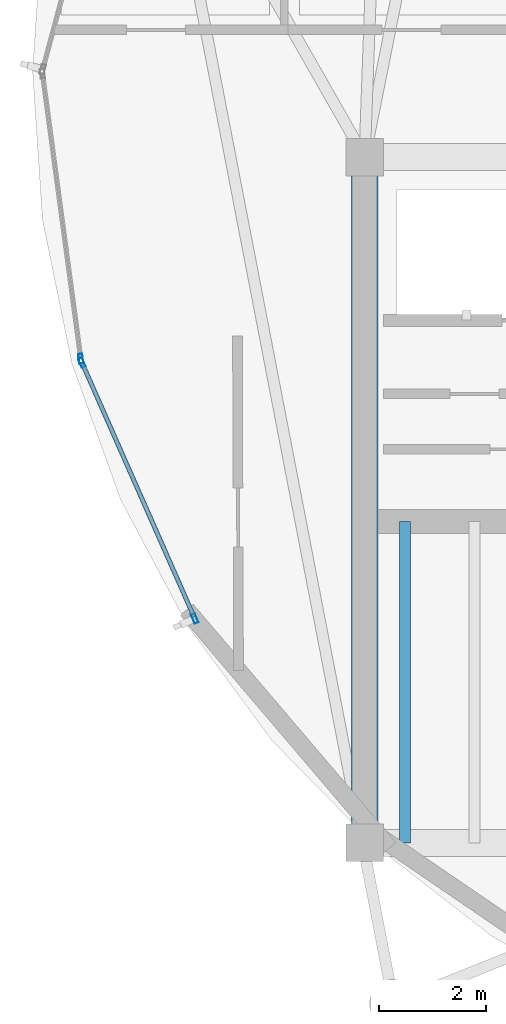
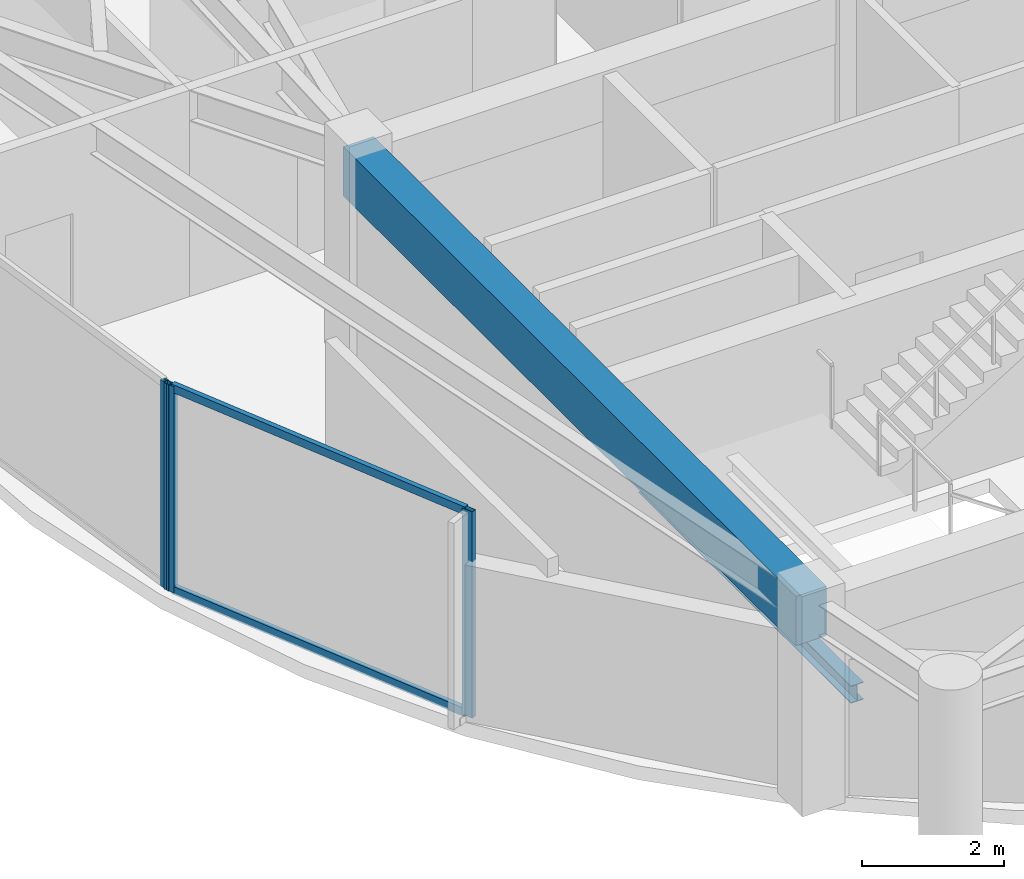
# One storey, part 3 of 23: 5 members, 2 beams, 2 elements without a shape of their own.
"""IFC4 building model written with IfcOpenShell, lengths in metres."""

import ifcopenshell
import ifcopenshell.guid

model = None  # the IFC model being written
_history = None  # IfcOwnerHistory: only IFC2X3 demands one
_inside = {}  # id of a spatial element -> (the spatial element, [elements in it])
_under = {}  # id of a project, library or spatial element -> (it, [spatial elements below it])
_declared = {}  # id of a project -> (the project, [libraries it declares])
_typed = {}  # id of a type object -> (the type object, [elements of that type])
_made_of = {}  # id of a material, layer set ... -> (it, [elements and type objects made of it])


def new_model(schema):
    """Start an empty IFC model of exactly this schema.

    Asked for "IFC4X3", IfcOpenShell would pick the latest addendum, in which some entities
    have other attributes; the version numbers below select the first issue.
    IFC2X3 requires an IfcOwnerHistory on every rooted entity: one is made here for all.
    """
    global model, _history
    if schema == "IFC4X3":
        model = ifcopenshell.file(schema_version=(4, 3, 0, 0))
    else:
        model = ifcopenshell.file(schema=schema)
    _inside.clear()
    _under.clear()
    _declared.clear()
    _typed.clear()
    _made_of.clear()
    _history = None
    if model.schema == "IFC2X3":
        org = make("IfcOrganization", Name="unknown")
        user = make(
            "IfcPersonAndOrganization",
            ThePerson=make("IfcPerson", FamilyName="unknown"),
            TheOrganization=org,
        )
        app = make(
            "IfcApplication",
            ApplicationDeveloper=org,
            Version="unknown",
            ApplicationFullName="unknown",
            ApplicationIdentifier="unknown",
        )
        _history = make(
            "IfcOwnerHistory",
            OwningUser=user,
            OwningApplication=app,
            ChangeAction="ADDED",
            CreationDate=0,
        )
    return model


def make(cls, **values):
    """One entity of the class cls with the attributes given. An attribute that is None is left unset."""
    return model.create_entity(
        cls, **{name: value for name, value in values.items() if value is not None}
    )


def rooted(cls, **values):
    """An entity with a GlobalId (a new one), such as an element, a storey or a relation."""
    return make(cls, GlobalId=ifcopenshell.guid.new(), OwnerHistory=_history, **values)


def si_unit(unit_type, name, prefix=None):
    """IfcSIUnit, for example si_unit("LENGTHUNIT", "METRE", prefix="MILLI")."""
    return make("IfcSIUnit", UnitType=unit_type, Prefix=prefix, Name=name)


def assignment(units):
    """IfcUnitAssignment: the units of a project."""
    return None if units is None else make("IfcUnitAssignment", Units=units)


def point(xyz):
    """IfcCartesianPoint."""
    return None if xyz is None else make("IfcCartesianPoint", Coordinates=xyz)


def direction(xyz):
    """IfcDirection."""
    return None if xyz is None else make("IfcDirection", DirectionRatios=xyz)


def frame(location, z_axis=None, x_axis=None):
    """IfcAxis2Placement3D, a coordinate frame: its origin and axes. An axis left out is left unset."""
    return make(
        "IfcAxis2Placement3D",
        Location=point(location),
        Axis=direction(z_axis),
        RefDirection=direction(x_axis),
    )


def frame_2d(location, x_axis=None):
    """IfcAxis2Placement2D, a coordinate frame in the plane: its origin and x axis."""
    return make(
        "IfcAxis2Placement2D", Location=point(location), RefDirection=direction(x_axis)
    )


def origin():
    """The frame at (0, 0, 0) with its axes left unset."""
    return frame((0.0, 0.0, 0.0))


def origin_2d():
    """The frame at (0, 0) in the plane with its x axis left unset."""
    return frame_2d((0.0, 0.0))


def place(relative_to, where):
    """IfcLocalPlacement: puts the frame where relative to a parent placement (None: the world)."""
    return make(
        "IfcLocalPlacement", PlacementRelTo=relative_to, RelativePlacement=where
    )


def context(
    kind, dimensions, precision=None, world=None, true_north=None, identifier=None
):
    """IfcGeometricRepresentationContext, for example the 3D "Model" context."""
    return make(
        "IfcGeometricRepresentationContext",
        ContextIdentifier=identifier,
        ContextType=kind,
        CoordinateSpaceDimension=dimensions,
        Precision=precision,
        WorldCoordinateSystem=world,
        TrueNorth=true_north,
    )


def subcontext(parent, identifier, kind, view, scale=None):
    """IfcGeometricRepresentationSubContext, for example "Body" below "Model"."""
    return make(
        "IfcGeometricRepresentationSubContext",
        ContextIdentifier=identifier,
        ContextType=kind,
        ParentContext=parent,
        TargetScale=scale,
        TargetView=view,
    )


def project(units=None, contexts=None):
    """IfcProject with its units and contexts."""
    return rooted(
        "IfcProject",
        Name="project",
        RepresentationContexts=contexts,
        UnitsInContext=assignment(units),
    )


def spatial(cls, under=None, at=None, **own):
    """A site, building, storey or space (cls), placed at a placement, below another one or the project."""
    s = rooted(cls, ObjectPlacement=at, **own)
    if under is not None:
        _under.setdefault(under.id(), (under, []))[1].append(s)
    return s


def profile(cls, at=None, kind="AREA", **sizes):
    """A parametric profile (cls). Its sizes go by their IFC names, for example OverallWidth=200.0."""
    return make(cls, ProfileType=kind, Position=at, **sizes)


def rectangle(**sizes):
    """IfcRectangleProfileDef."""
    return profile("IfcRectangleProfileDef", **sizes)


def hollow_rectangle(**sizes):
    """IfcRectangleHollowProfileDef."""
    return profile("IfcRectangleHollowProfileDef", **sizes)


def i_section(**sizes):
    """IfcIShapeProfileDef."""
    return profile("IfcIShapeProfileDef", **sizes)


def extrude(swept, where, along, depth):
    """IfcExtrudedAreaSolid: the profile swept, set in the frame where, extruded along a direction by depth."""
    return make(
        "IfcExtrudedAreaSolid",
        SweptArea=swept,
        Position=where,
        ExtrudedDirection=direction(along),
        Depth=depth,
    )


def shape(context_of_items, identifier, shape_type, items):
    """IfcShapeRepresentation: the items that make up one representation, for example the "Body"."""
    return make(
        "IfcShapeRepresentation",
        ContextOfItems=context_of_items,
        RepresentationIdentifier=identifier,
        RepresentationType=shape_type,
        Items=items,
    )


def material(Name=None, Category=None):
    """IfcMaterial."""
    return make("IfcMaterial", Name=Name, Category=Category)


def layer(
    of_material, thickness, ventilated=None, Name=None, Category=None, Priority=None
):
    """IfcMaterialLayer: one layer of a wall or slab, of a material (None: an air gap)."""
    return make(
        "IfcMaterialLayer",
        Material=of_material,
        LayerThickness=thickness,
        IsVentilated=ventilated,
        Name=Name,
        Category=Category,
        Priority=Priority,
    )


def layer_set(layers, Name=None):
    """IfcMaterialLayerSet."""
    return make("IfcMaterialLayerSet", MaterialLayers=layers, LayerSetName=Name)


def material_profile(
    of_material, cross_section, Name=None, Category=None, Priority=None
):
    """IfcMaterialProfile: a cross section and its material."""
    return make(
        "IfcMaterialProfile",
        Name=Name,
        Material=of_material,
        Profile=cross_section,
        Priority=Priority,
        Category=Category,
    )


def profile_set(profiles, Name=None, composite=None):
    """IfcMaterialProfileSet."""
    return make(
        "IfcMaterialProfileSet",
        Name=Name,
        MaterialProfiles=profiles,
        CompositeProfile=composite,
    )


def made_of(thing, what):
    """Note that an element or type object is made of a material, layer set ...; save() writes the relation."""
    if what is not None:
        _made_of.setdefault(what.id(), (what, []))[1].append(thing)
    return thing


def type_object(cls, material=None, **own):
    """A type object (cls), such as IfcWallType, which elements share."""
    return made_of(rooted(cls, **own), material)


def element(
    cls,
    number,
    at=None,
    inside=None,
    cuts=None,
    type_object=None,
    material=None,
    context=None,
    identifier="Body",
    shape_type=None,
    held_by="IfcProductDefinitionShape",
    body=None,
    shapes=None,
    **own,
):
    """One element of the class cls, such as IfcWall. Its Tag is "e" and its number.

    at: its placement. inside: the storey or other place that contains it. cuts: it is an
    opening in that element (IfcRelVoidsElement). A single representation is given by context,
    identifier, shape_type and body (its items); several are given by shapes. held_by: the class
    of the entity that holds the representations. save() writes the other relations.
    """
    e = rooted(cls, Tag="e%d" % number, ObjectPlacement=at, **own)
    if body is not None:
        shapes = [shape(context, identifier, shape_type, body)]
    if shapes is not None:
        e.Representation = make(held_by, Representations=shapes)
    if inside is not None:
        _inside.setdefault(inside.id(), (inside, []))[1].append(e)
    if cuts is not None:
        rooted(
            "IfcRelVoidsElement", RelatingBuildingElement=cuts, RelatedOpeningElement=e
        )
    if type_object is not None:
        _typed.setdefault(type_object.id(), (type_object, []))[1].append(e)
    return made_of(e, material)


def aggregate(whole, parts):
    """IfcRelAggregates: a whole, such as a stair, and the parts it consists of."""
    return rooted("IfcRelAggregates", RelatingObject=whole, RelatedObjects=parts)


def save(model, path):
    """Write the relations noted so far, then the file.

    IfcRelAggregates (storeys below a building ...), IfcRelContainedInSpatialStructure (elements
    in a storey), IfcRelDefinesByType, IfcRelAssociatesMaterial and IfcRelDeclares: one each for
    every whole, place, type object, material and project.
    """
    for whole, parts in _under.values():
        aggregate(whole, parts)
    for where, things in _inside.values():
        rooted(
            "IfcRelContainedInSpatialStructure",
            RelatedElements=things,
            RelatingStructure=where,
        )
    for kind, things in _typed.values():
        rooted("IfcRelDefinesByType", RelatedObjects=things, RelatingType=kind)
    for what, things in _made_of.values():
        rooted("IfcRelAssociatesMaterial", RelatedObjects=things, RelatingMaterial=what)
    for by, libraries in _declared.values():
        rooted("IfcRelDeclares", RelatingContext=by, RelatedDefinitions=libraries)
    model.write(path)


model = new_model("IFC4")

# Units and contexts
model_context = context("Model", 3, precision=1e-05, world=origin(), true_north=direction((0.0, 1.0)))
body_context = subcontext(model_context, "Body", "Model", "MODEL_VIEW")
ifc_project = project(units=[si_unit("LENGTHUNIT", "METRE"), si_unit("AREAUNIT", "SQUARE_METRE"), si_unit("VOLUMEUNIT", "CUBIC_METRE"), si_unit("PLANEANGLEUNIT", "RADIAN"), si_unit("MASSUNIT", "GRAM", prefix="KILO")], contexts=[model_context])

# Site, building, storey
site_placement = place(None, origin())
site = spatial("IfcSite", under=ifc_project, at=site_placement, CompositionType="ELEMENT")
building_placement = place(site_placement, origin())
building = spatial("IfcBuilding", under=site, at=building_placement, Name="Kazevale Care Tower and Concert Hall", CompositionType="ELEMENT")
storey_placement = place(building_placement, frame((0.0, 0.0, 266.199951171875)))
storey = spatial("IfcBuildingStorey", under=building, at=storey_placement, Name="L70", CompositionType="ELEMENT", Elevation=266.199951171875)

# Curtain wall, members
ifc_material_1 = material(Name="Aluminium 6063-T6 and Low-E Glass", Category="aluminium")
ifc_layer = layer(ifc_material_1, 0.179931640625)
ifc_layer_set = layer_set([ifc_layer], Name="Aluminium 6063-T6 and Low-E Glass")
curtain_wall_type = type_object("IfcCurtainWallType", Name="Waist & Upper Residential Curtain Wall CW-4", PredefinedType="NOTDEFINED", material=ifc_layer_set)
curtain_wall_1_placement = place(storey_placement, origin())
curtain_wall_1 = element("IfcCurtainWall", 1, at=curtain_wall_1_placement, inside=storey, type_object=curtain_wall_type, Name="cw:L70:f07", PredefinedType="NOTDEFINED")
ifc_material_2 = material(Name="Aluminium 6063-T6", Category="aluminium")
ifc_material_profile_1 = material_profile(ifc_material_2, hollow_rectangle(XDim=0.080078125, YDim=0.179931640625, WallThickness=0.0048828125, at=origin_2d()), Name="ALU80x180x5")
ifc_profile_set_1 = profile_set([ifc_material_profile_1], Name="Aluminium 6063-T6")
member_type_1 = type_object("IfcMemberType", Name="CW-4 Mullion ALU80x180x5", PredefinedType="MULLION", material=ifc_profile_set_1)
member_1_placement = place(storey_placement, frame((18.828857421875, 27.78759765625, 0.0), z_axis=(0.0, 0.0, 1.0), x_axis=(-0.914936245618, -0.403598397488, 0.0)))
member_1 = element("IfcMember", 2, at=member_1_placement, type_object=member_type_1, Name="CW-4 mullion 1", PredefinedType="MULLION", context=body_context, shape_type="SweptSolid", body=[
    extrude(hollow_rectangle(XDim=0.080078125, YDim=0.179931640625, WallThickness=0.0048828125, at=origin_2d()), origin(), (0.0, 0.0, 1.0), 3.56005859375),
])
member_2_placement = place(storey_placement, frame((16.72216796875, 32.5634765625, 0.0), z_axis=(0.0, 0.0, 1.0), x_axis=(-0.914936245618, -0.403598397488, 0.0)))
member_2 = element("IfcMember", 3, at=member_2_placement, type_object=member_type_1, Name="CW-4 mullion 2", PredefinedType="MULLION", context=body_context, shape_type="SweptSolid", body=[
    extrude(hollow_rectangle(XDim=0.080078125, YDim=0.179931640625, WallThickness=0.0048828125, at=origin_2d()), origin(), (0.0, 0.0, 1.0), 3.56005859375),
])

# Curtain wall, member
curtain_wall_2_placement = place(storey_placement, origin())
curtain_wall_2 = element("IfcCurtainWall", 4, at=curtain_wall_2_placement, inside=storey, type_object=curtain_wall_type, Name="cw:L70:f08", PredefinedType="NOTDEFINED")
member_3_placement = place(storey_placement, frame((16.70068359375, 32.6396484375, 0.0), z_axis=(0.0, 0.0, 1.0), x_axis=(-0.991083047722, -0.133245609751, 0.0)))
member_3 = element("IfcMember", 5, at=member_3_placement, type_object=member_type_1, Name="CW-4 mullion 1", PredefinedType="MULLION", context=body_context, shape_type="SweptSolid", body=[
    extrude(hollow_rectangle(XDim=0.080078125, YDim=0.179931640625, WallThickness=0.0048828125, at=origin_2d()), origin(), (0.0, 0.0, 1.0), 3.56005859375),
])
aggregate(curtain_wall_2, [member_3])

# Member
ifc_material_profile_2 = material_profile(ifc_material_2, hollow_rectangle(XDim=0.080078125, YDim=0.139892578125, WallThickness=0.00390625, at=origin_2d()), Name="ALU80x140x4")
ifc_profile_set_2 = profile_set([ifc_material_profile_2], Name="Aluminium 6063-T6")
member_type_2 = type_object("IfcMemberType", Name="CW-4 Transom ALU80x140x4", PredefinedType="USERDEFINED", material=ifc_profile_set_2)
member_4_placement = place(storey_placement, frame((18.812744140625, 27.82421875, 0.0400390625), z_axis=(-0.403602784518, 0.91493431039, 0.0), x_axis=(-0.91493431039, -0.403602784518, 0.0)))
member_4 = element("IfcMember", 6, at=member_4_placement, type_object=member_type_2, Name="CW-4 transom 1.1", ObjectType="TRANSOM", PredefinedType="USERDEFINED", context=body_context, shape_type="SweptSolid", body=[
    extrude(hollow_rectangle(XDim=0.080078125, YDim=0.139892578125, WallThickness=0.00390625, at=origin_2d()), origin(), (0.0, 0.0, 1.0), 5.139892578125),
])

member_5_placement = place(storey_placement, frame((18.812744140625, 27.82421875, 3.52001953125), z_axis=(-0.403602784518, 0.91493431039, 0.0), x_axis=(-0.91493431039, -0.403602784518, 0.0)))
member_5 = element("IfcMember", 7, at=member_5_placement, type_object=member_type_2, Name="CW-4 transom 1.2", ObjectType="TRANSOM", PredefinedType="USERDEFINED", context=body_context, shape_type="SweptSolid", body=[
    extrude(hollow_rectangle(XDim=0.080078125, YDim=0.139892578125, WallThickness=0.00390625, at=origin_2d()), origin(), (0.0, 0.0, 1.0), 5.139892578125),
])

aggregate(curtain_wall_1, [member_1, member_2, member_4, member_5])

# Beams
ifc_material_3 = material(Name="Concrete C60", Category="concrete")
ifc_material_profile_3 = material_profile(ifc_material_3, rectangle(XDim=0.5, YDim=0.85009765625, at=origin_2d()), Name="RC-B500x850")
ifc_profile_set_3 = profile_set([ifc_material_profile_3], Name="Concrete C60")
beam_type_1 = type_object("IfcBeamType", Name="Core Coupling Beam RC500x850", PredefinedType="LINTEL", material=ifc_profile_set_3)
beam_1_placement = place(storey_placement, frame((22.0, 36.39990234375, 3.135009765625), z_axis=(0.0, -1.0, 0.0), x_axis=(1.0, 0.0, 0.0)))
element("IfcBeam", 8, at=beam_1_placement, inside=storey, type_object=beam_type_1, Name="beam:L70:coretie:8", PredefinedType="LINTEL", context=body_context, shape_type="SweptSolid", body=[
    extrude(rectangle(XDim=0.5, YDim=0.85009765625, at=origin_2d()), origin(), (0.0, 0.0, 1.0), 12.7998046875),
])
ifc_material_4 = material(Name="Steel ASTM A572 Gr 50", Category="steel")
ifc_material_profile_4 = material_profile(ifc_material_4, i_section(OverallWidth=0.202880859375, OverallDepth=0.302978515625, WebThickness=0.007568359375, FlangeThickness=0.01318359375, at=origin_2d()), Name="W310x60")
ifc_profile_set_4 = profile_set([ifc_material_profile_4], Name="Steel ASTM A572 Gr 50")
beam_type_2 = type_object("IfcBeamType", Name="Stair & Balcony Trimmer W310x60", PredefinedType="BEAM", material=ifc_profile_set_4)
beam_2_placement = place(storey_placement, frame((22.75, 23.60009765625, 1.548583984375), z_axis=(0.0, 1.0, 0.0), x_axis=(-1.0, 0.0, 0.0)))
element("IfcBeam", 9, at=beam_2_placement, inside=storey, type_object=beam_type_2, Name="beam:L70:sttrim:ST1", PredefinedType="BEAM", context=body_context, shape_type="SweptSolid", body=[
    extrude(i_section(OverallWidth=0.202880859375, OverallDepth=0.302978515625, WebThickness=0.007568359375, FlangeThickness=0.01318359375, at=origin_2d()), origin(), (0.0, 0.0, 1.0), 6.0),
])

save(model, "model.ifc")
